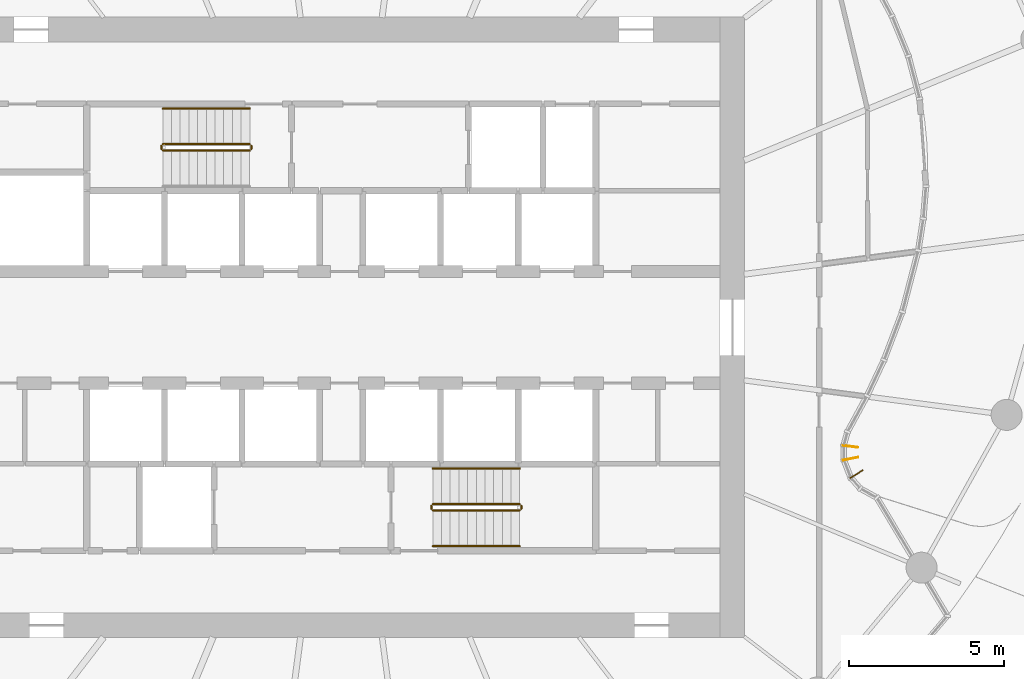
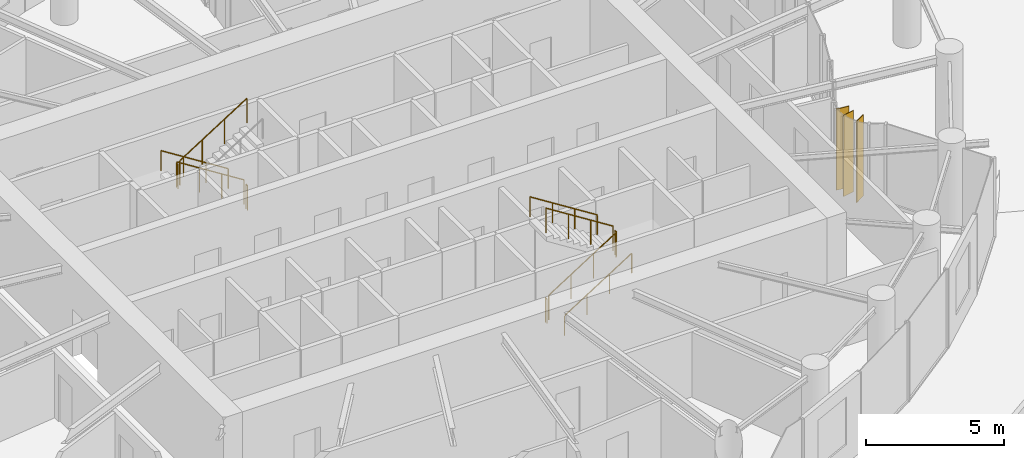
# One storey, part 19 of 21: 11 railings, 3 shading devices.
"""IFC4 building model written with IfcOpenShell, lengths in metres."""

from ifc_helpers import new_model, si_unit, direction, frame, origin, origin_2d, place, context, subcontext, project, spatial, rectangle, circle, extrude, source, transform, mapped, material, material_profile, profile_set, type_object, element, save


model = new_model("IFC4")

# Units and contexts
model_context = context("Model", 3, precision=1e-05, world=origin(), true_north=direction((0.0, 1.0)))
body_context = subcontext(model_context, "Body", "Model", "MODEL_VIEW")
ifc_project = project(units=[si_unit("LENGTHUNIT", "METRE"), si_unit("AREAUNIT", "SQUARE_METRE"), si_unit("VOLUMEUNIT", "CUBIC_METRE"), si_unit("PLANEANGLEUNIT", "RADIAN"), si_unit("MASSUNIT", "GRAM", prefix="KILO")], contexts=[model_context])

# Site, building, storey
site_placement = place(None, origin())
site = spatial("IfcSite", under=ifc_project, at=site_placement, CompositionType="ELEMENT")
building_placement = place(site_placement, origin())
building = spatial("IfcBuilding", under=site, at=building_placement, Name="Spindrift Exchange Tower", CompositionType="ELEMENT")
storey_placement = place(building_placement, frame((0.0, 0.0, 133.10009765625)))
storey = spatial("IfcBuildingStorey", under=building, at=storey_placement, Name="L31", CompositionType="ELEMENT", Elevation=133.10009765625)

# Railings
ifc_material_1 = material(Name="Steel balustrade", Category="steel")
railing_type_1 = type_object("IfcRailingType", Name="RL-STAIR-GUARD", PredefinedType="GUARDRAIL", material=ifc_material_1)
railing_1_placement = place(storey_placement, frame((49.050048828125, 53.89990234375, 0.17724609375)))
element("IfcRailing", 1, at=railing_1_placement, inside=storey, type_object=railing_type_1, Name="L31 ST1 stair guard 1", PredefinedType="GUARDRAIL", context=body_context, shape_type="SweptSolid", body=[
    extrude(circle(Radius=0.02392578125, at=origin_2d()), frame((0.0, 0.0, 1.076171875), z_axis=(-0.844908973607, 0.0, 0.534910110503), x_axis=(0.0, -1.0, 0.0)), (0.0, 0.0, 1.0), 3.31396484375),
    extrude(circle(Radius=0.02099609375, at=origin_2d()), origin(), (0.0, 0.0, 1.0), 1.052001953125),
    extrude(circle(Radius=0.02099609375, at=origin_2d()), frame((-0.933349609375, 0.0, 0.5908203125)), (0.0, 0.0, 1.0), 1.052001953125),
    extrude(circle(Radius=0.02099609375, at=origin_2d()), frame((-1.86669921875, 0.0, 1.181884765625)), (0.0, 0.0, 1.0), 1.052001953125),
    extrude(circle(Radius=0.02099609375, at=origin_2d()), frame((-2.800048828125, 0.0, 1.772705078125)), (0.0, 0.0, 1.0), 1.052001953125),
])
railing_2_placement = place(storey_placement, frame((46.199951171875, 53.85009765625, 1.949951171875)))
element("IfcRailing", 2, at=railing_2_placement, inside=storey, type_object=railing_type_1, Name="L31 ST1 stair guard 2", PredefinedType="GUARDRAIL", context=body_context, shape_type="SweptSolid", body=[
    extrude(circle(Radius=0.02392578125, at=origin_2d()), frame((0.0, 0.0, 1.076171875), z_axis=(0.0, -1.0, 0.0), x_axis=(1.0, 0.0, 0.0)), (0.0, 0.0, 1.0), 0.10009765625),
    extrude(circle(Radius=0.02099609375, at=origin_2d()), origin(), (0.0, 0.0, 1.0), 1.052001953125),
    extrude(circle(Radius=0.02099609375, at=origin_2d()), frame((0.0, -0.10009765625, 0.0)), (0.0, 0.0, 1.0), 1.052001953125),
])
railing_3_placement = place(storey_placement, frame((46.25, 53.699951171875, 2.127197265625)))
element("IfcRailing", 3, at=railing_3_placement, inside=storey, type_object=railing_type_1, Name="L31 ST1 stair guard 3", PredefinedType="GUARDRAIL", context=body_context, shape_type="SweptSolid", body=[
    extrude(circle(Radius=0.02392578125, at=origin_2d()), frame((0.0, 0.0, 1.076171875), z_axis=(0.844908973607, 0.0, 0.534910110503), x_axis=(0.0, 1.0, 0.0)), (0.0, 0.0, 1.0), 3.31396484375),
    extrude(circle(Radius=0.02099609375, at=origin_2d()), origin(), (0.0, 0.0, 1.0), 1.052001953125),
    extrude(circle(Radius=0.02099609375, at=origin_2d()), frame((0.933349609375, 0.0, 0.5908203125)), (0.0, 0.0, 1.0), 1.052001953125),
    extrude(circle(Radius=0.02099609375, at=origin_2d()), frame((1.86669921875, 0.0, 1.181884765625)), (0.0, 0.0, 1.0), 1.052001953125),
    extrude(circle(Radius=0.02099609375, at=origin_2d()), frame((2.800048828125, 0.0, 1.772705078125)), (0.0, 0.0, 1.0), 1.052001953125),
])
railing_4_placement = place(storey_placement, frame((49.10009765625, 53.85009765625, 0.0)))
element("IfcRailing", 4, at=railing_4_placement, inside=storey, type_object=railing_type_1, Name="L31 ST1 stair guard 4", PredefinedType="GUARDRAIL", context=body_context, shape_type="SweptSolid", body=[
    extrude(circle(Radius=0.02392578125, at=origin_2d()), frame((0.0, 0.0, 1.076171875), z_axis=(0.0, -1.0, 0.0), x_axis=(1.0, 0.0, 0.0)), (0.0, 0.0, 1.0), 0.10009765625),
    extrude(circle(Radius=0.02099609375, at=origin_2d()), origin(), (0.0, 0.0, 1.0), 1.052001953125),
    extrude(circle(Radius=0.02099609375, at=origin_2d()), frame((0.0, -0.10009765625, 0.0)), (0.0, 0.0, 1.0), 1.052001953125),
])
railing_5_placement = place(storey_placement, frame((54.949951171875, 42.10009765625, 0.17724609375)))
element("IfcRailing", 5, at=railing_5_placement, inside=storey, type_object=railing_type_1, Name="L31 ST2 stair guard 1", PredefinedType="GUARDRAIL", context=body_context, shape_type="SweptSolid", body=[
    extrude(circle(Radius=0.02392578125, at=origin_2d()), frame((0.0, 0.0, 1.076171875), z_axis=(0.844908973607, 0.0, 0.534910110503), x_axis=(0.0, 1.0, 0.0)), (0.0, 0.0, 1.0), 3.31396484375),
    extrude(circle(Radius=0.02099609375, at=origin_2d()), origin(), (0.0, 0.0, 1.0), 1.052001953125),
    extrude(circle(Radius=0.02099609375, at=origin_2d()), frame((0.933349609375, 0.0, 0.5908203125)), (0.0, 0.0, 1.0), 1.052001953125),
    extrude(circle(Radius=0.02099609375, at=origin_2d()), frame((1.86669921875, 0.0, 1.181884765625)), (0.0, 0.0, 1.0), 1.052001953125),
    extrude(circle(Radius=0.02099609375, at=origin_2d()), frame((2.800048828125, 0.0, 1.772705078125)), (0.0, 0.0, 1.0), 1.052001953125),
])
railing_6_placement = place(storey_placement, frame((57.800048828125, 42.14990234375, 1.949951171875)))
element("IfcRailing", 6, at=railing_6_placement, inside=storey, type_object=railing_type_1, Name="L31 ST2 stair guard 2", PredefinedType="GUARDRAIL", context=body_context, shape_type="SweptSolid", body=[
    extrude(circle(Radius=0.02392578125, at=origin_2d()), frame((0.0, 0.0, 1.076171875), z_axis=(0.0, 1.0, 0.0), x_axis=(-1.0, 0.0, 0.0)), (0.0, 0.0, 1.0), 0.10009765625),
    extrude(circle(Radius=0.02099609375, at=origin_2d()), origin(), (0.0, 0.0, 1.0), 1.052001953125),
    extrude(circle(Radius=0.02099609375, at=origin_2d()), frame((0.0, 0.10009765625, 0.0)), (0.0, 0.0, 1.0), 1.052001953125),
])
railing_7_placement = place(storey_placement, frame((57.75, 42.300048828125, 2.127197265625)))
element("IfcRailing", 7, at=railing_7_placement, inside=storey, type_object=railing_type_1, Name="L31 ST2 stair guard 3", PredefinedType="GUARDRAIL", context=body_context, shape_type="SweptSolid", body=[
    extrude(circle(Radius=0.02392578125, at=origin_2d()), frame((0.0, 0.0, 1.076171875), z_axis=(-0.844908973607, 0.0, 0.534910110503), x_axis=(0.0, -1.0, 0.0)), (0.0, 0.0, 1.0), 3.31396484375),
    extrude(circle(Radius=0.02099609375, at=origin_2d()), origin(), (0.0, 0.0, 1.0), 1.052001953125),
    extrude(circle(Radius=0.02099609375, at=origin_2d()), frame((-0.933349609375, 0.0, 0.5908203125)), (0.0, 0.0, 1.0), 1.052001953125),
    extrude(circle(Radius=0.02099609375, at=origin_2d()), frame((-1.86669921875, 0.0, 1.181884765625)), (0.0, 0.0, 1.0), 1.052001953125),
    extrude(circle(Radius=0.02099609375, at=origin_2d()), frame((-2.800048828125, 0.0, 1.772705078125)), (0.0, 0.0, 1.0), 1.052001953125),
])
railing_8_placement = place(storey_placement, frame((54.89990234375, 42.14990234375, 0.0)))
element("IfcRailing", 8, at=railing_8_placement, inside=storey, type_object=railing_type_1, Name="L31 ST2 stair guard 4", PredefinedType="GUARDRAIL", context=body_context, shape_type="SweptSolid", body=[
    extrude(circle(Radius=0.02392578125, at=origin_2d()), frame((0.0, 0.0, 1.076171875), z_axis=(0.0, 1.0, 0.0), x_axis=(-1.0, 0.0, 0.0)), (0.0, 0.0, 1.0), 0.10009765625),
    extrude(circle(Radius=0.02099609375, at=origin_2d()), origin(), (0.0, 0.0, 1.0), 1.052001953125),
    extrude(circle(Radius=0.02099609375, at=origin_2d()), frame((0.0, 0.10009765625, 0.0)), (0.0, 0.0, 1.0), 1.052001953125),
])
ifc_material_2 = material(Name="Steel tubular handrail", Category="steel")
railing_type_2 = type_object("IfcRailingType", Name="RL-STAIR-HAND", PredefinedType="HANDRAIL", material=ifc_material_2)
railing_9_placement = place(storey_placement, frame((49.050048828125, 55.050048828125, 0.17724609375)))
element("IfcRailing", 9, at=railing_9_placement, inside=storey, type_object=railing_type_2, Name="L31 ST1 stair handrail 1", PredefinedType="HANDRAIL", context=body_context, shape_type="SweptSolid", body=[
    extrude(circle(Radius=0.02392578125, at=origin_2d()), frame((0.0, 0.0, 0.8759765625), z_axis=(-0.844908973607, 0.0, 0.534910110503), x_axis=(0.0, -1.0, 0.0)), (0.0, 0.0, 1.0), 3.31396484375),
    extrude(circle(Radius=0.02099609375, at=origin_2d()), origin(), (0.0, 0.0, 1.0), 0.851806640625),
    extrude(circle(Radius=0.02099609375, at=origin_2d()), frame((-0.933349609375, 0.0, 0.5908203125)), (0.0, 0.0, 1.0), 0.851806640625),
    extrude(circle(Radius=0.02099609375, at=origin_2d()), frame((-1.86669921875, 0.0, 1.181884765625)), (0.0, 0.0, 1.0), 0.851806640625),
    extrude(circle(Radius=0.02099609375, at=origin_2d()), frame((-2.800048828125, 0.0, 1.772705078125)), (0.0, 0.0, 1.0), 0.851806640625),
])
railing_10_placement = place(storey_placement, frame((54.949951171875, 40.949951171875, 0.17724609375)))
element("IfcRailing", 10, at=railing_10_placement, inside=storey, type_object=railing_type_2, Name="L31 ST2 stair handrail 1", PredefinedType="HANDRAIL", context=body_context, shape_type="SweptSolid", body=[
    extrude(circle(Radius=0.02392578125, at=origin_2d()), frame((0.0, 0.0, 0.8759765625), z_axis=(0.844908973607, 0.0, 0.534910110503), x_axis=(0.0, 1.0, 0.0)), (0.0, 0.0, 1.0), 3.31396484375),
    extrude(circle(Radius=0.02099609375, at=origin_2d()), origin(), (0.0, 0.0, 1.0), 0.851806640625),
    extrude(circle(Radius=0.02099609375, at=origin_2d()), frame((0.933349609375, 0.0, 0.5908203125)), (0.0, 0.0, 1.0), 0.851806640625),
    extrude(circle(Radius=0.02099609375, at=origin_2d()), frame((1.86669921875, 0.0, 1.181884765625)), (0.0, 0.0, 1.0), 0.851806640625),
    extrude(circle(Radius=0.02099609375, at=origin_2d()), frame((2.800048828125, 0.0, 1.772705078125)), (0.0, 0.0, 1.0), 0.851806640625),
])
railing_11_placement = place(storey_placement, frame((57.75, 43.449951171875, 2.127197265625)))
element("IfcRailing", 11, at=railing_11_placement, inside=storey, type_object=railing_type_2, Name="L31 ST2 stair handrail 2", PredefinedType="HANDRAIL", context=body_context, shape_type="SweptSolid", body=[
    extrude(circle(Radius=0.02392578125, at=origin_2d()), frame((0.0, 0.0, 0.8759765625), z_axis=(-0.844908973607, 0.0, 0.534910110503), x_axis=(0.0, -1.0, 0.0)), (0.0, 0.0, 1.0), 3.31396484375),
    extrude(circle(Radius=0.02099609375, at=origin_2d()), origin(), (0.0, 0.0, 1.0), 0.851806640625),
    extrude(circle(Radius=0.02099609375, at=origin_2d()), frame((-0.933349609375, 0.0, 0.5908203125)), (0.0, 0.0, 1.0), 0.851806640625),
    extrude(circle(Radius=0.02099609375, at=origin_2d()), frame((-1.86669921875, 0.0, 1.181884765625)), (0.0, 0.0, 1.0), 0.851806640625),
    extrude(circle(Radius=0.02099609375, at=origin_2d()), frame((-2.800048828125, 0.0, 1.772705078125)), (0.0, 0.0, 1.0), 0.851806640625),
])

# Shading devices
ifc_material_3 = material(Name="Bronze anodised aluminium", Category="aluminium")
ifc_material_profile = material_profile(ifc_material_3, rectangle(XDim=0.030029296875, YDim=0.5, at=origin_2d()), Name="WIND FIN 30X500")
ifc_profile_set = profile_set([ifc_material_profile], Name="Bronze anodised aluminium")
shading_device_type = type_object("IfcShadingDeviceType", Name="WIND FIN 30X500", PredefinedType="USERDEFINED", material=ifc_profile_set)
shared_shape = source(origin(), body_context, "Body", "SweptSolid", [
    extrude(rectangle(XDim=0.030029296875, YDim=0.5, at=origin_2d()), origin(), (0.0, 0.0, 1.0), 3.579833984375),
])
for number, where, z_axis, x_axis, name in (
    (12, (68.60400390625, 43.270263671875, 0.0), (0.0, 0.0, 1.0), (-0.517977743069, 0.855394094956, 0.0), "L31 wind fin 1"),
    (13, (68.41162109375, 43.765625, 0.0), (0.0, 0.0, 1.0), (-0.195013290719, 0.980800599736, 0.0), "L31 wind fin 2"),
    (14, (68.40380859375, 44.160400390625, 0.0), (0.0, 0.0, 1.0), (0.12742987946, 0.99184758195, 0.0), "L31 wind fin 3"),
):
    element("IfcShadingDevice", number, at=place(storey_placement, frame(where, z_axis=z_axis, x_axis=x_axis)), inside=storey, type_object=shading_device_type, Name=name, ObjectType="FIN", PredefinedType="USERDEFINED", context=body_context, shape_type="MappedRepresentation", body=[
        mapped(shared_shape, transform((0.0, 0.0, 0.0), scale=1.0)),
    ])

save(model, "model.ifc")
